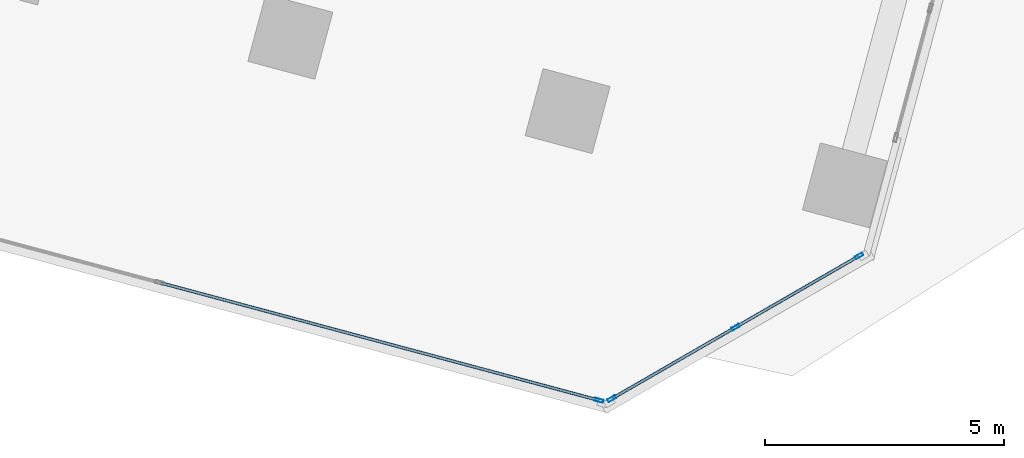
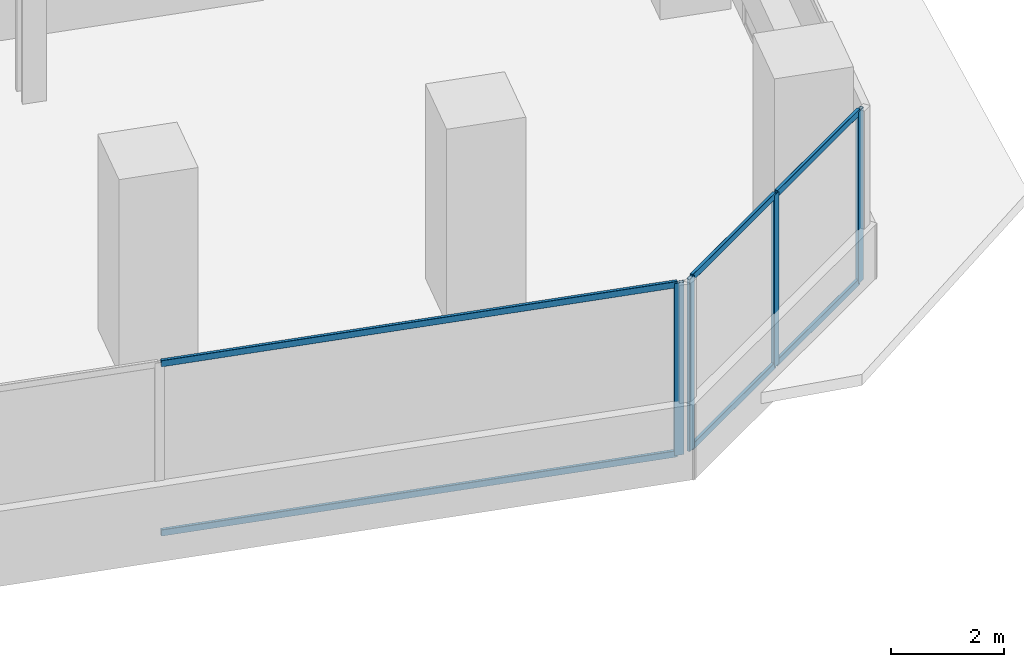
# One storey, part 8 of 26: 10 members, 2 elements without a shape of their own.
"""IFC4 building model written with IfcOpenShell, lengths in metres."""

import ifcopenshell
import ifcopenshell.guid

model = None  # the IFC model being written
_history = None  # IfcOwnerHistory: only IFC2X3 demands one
_inside = {}  # id of a spatial element -> (the spatial element, [elements in it])
_under = {}  # id of a project, library or spatial element -> (it, [spatial elements below it])
_declared = {}  # id of a project -> (the project, [libraries it declares])
_typed = {}  # id of a type object -> (the type object, [elements of that type])
_made_of = {}  # id of a material, layer set ... -> (it, [elements and type objects made of it])


def new_model(schema):
    """Start an empty IFC model of exactly this schema.

    Asked for "IFC4X3", IfcOpenShell would pick the latest addendum, in which some entities
    have other attributes; the version numbers below select the first issue.
    IFC2X3 requires an IfcOwnerHistory on every rooted entity: one is made here for all.
    """
    global model, _history
    if schema == "IFC4X3":
        model = ifcopenshell.file(schema_version=(4, 3, 0, 0))
    else:
        model = ifcopenshell.file(schema=schema)
    _inside.clear()
    _under.clear()
    _declared.clear()
    _typed.clear()
    _made_of.clear()
    _history = None
    if model.schema == "IFC2X3":
        org = make("IfcOrganization", Name="unknown")
        user = make(
            "IfcPersonAndOrganization",
            ThePerson=make("IfcPerson", FamilyName="unknown"),
            TheOrganization=org,
        )
        app = make(
            "IfcApplication",
            ApplicationDeveloper=org,
            Version="unknown",
            ApplicationFullName="unknown",
            ApplicationIdentifier="unknown",
        )
        _history = make(
            "IfcOwnerHistory",
            OwningUser=user,
            OwningApplication=app,
            ChangeAction="ADDED",
            CreationDate=0,
        )
    return model


def make(cls, **values):
    """One entity of the class cls with the attributes given. An attribute that is None is left unset."""
    return model.create_entity(
        cls, **{name: value for name, value in values.items() if value is not None}
    )


def rooted(cls, **values):
    """An entity with a GlobalId (a new one), such as an element, a storey or a relation."""
    return make(cls, GlobalId=ifcopenshell.guid.new(), OwnerHistory=_history, **values)


def si_unit(unit_type, name, prefix=None):
    """IfcSIUnit, for example si_unit("LENGTHUNIT", "METRE", prefix="MILLI")."""
    return make("IfcSIUnit", UnitType=unit_type, Prefix=prefix, Name=name)


def assignment(units):
    """IfcUnitAssignment: the units of a project."""
    return None if units is None else make("IfcUnitAssignment", Units=units)


def point(xyz):
    """IfcCartesianPoint."""
    return None if xyz is None else make("IfcCartesianPoint", Coordinates=xyz)


def direction(xyz):
    """IfcDirection."""
    return None if xyz is None else make("IfcDirection", DirectionRatios=xyz)


def frame(location, z_axis=None, x_axis=None):
    """IfcAxis2Placement3D, a coordinate frame: its origin and axes. An axis left out is left unset."""
    return make(
        "IfcAxis2Placement3D",
        Location=point(location),
        Axis=direction(z_axis),
        RefDirection=direction(x_axis),
    )


def frame_2d(location, x_axis=None):
    """IfcAxis2Placement2D, a coordinate frame in the plane: its origin and x axis."""
    return make(
        "IfcAxis2Placement2D", Location=point(location), RefDirection=direction(x_axis)
    )


def origin():
    """The frame at (0, 0, 0) with its axes left unset."""
    return frame((0.0, 0.0, 0.0))


def origin_2d():
    """The frame at (0, 0) in the plane with its x axis left unset."""
    return frame_2d((0.0, 0.0))


def place(relative_to, where):
    """IfcLocalPlacement: puts the frame where relative to a parent placement (None: the world)."""
    return make(
        "IfcLocalPlacement", PlacementRelTo=relative_to, RelativePlacement=where
    )


def context(
    kind, dimensions, precision=None, world=None, true_north=None, identifier=None
):
    """IfcGeometricRepresentationContext, for example the 3D "Model" context."""
    return make(
        "IfcGeometricRepresentationContext",
        ContextIdentifier=identifier,
        ContextType=kind,
        CoordinateSpaceDimension=dimensions,
        Precision=precision,
        WorldCoordinateSystem=world,
        TrueNorth=true_north,
    )


def subcontext(parent, identifier, kind, view, scale=None):
    """IfcGeometricRepresentationSubContext, for example "Body" below "Model"."""
    return make(
        "IfcGeometricRepresentationSubContext",
        ContextIdentifier=identifier,
        ContextType=kind,
        ParentContext=parent,
        TargetScale=scale,
        TargetView=view,
    )


def project(units=None, contexts=None):
    """IfcProject with its units and contexts."""
    return rooted(
        "IfcProject",
        Name="project",
        RepresentationContexts=contexts,
        UnitsInContext=assignment(units),
    )


def spatial(cls, under=None, at=None, **own):
    """A site, building, storey or space (cls), placed at a placement, below another one or the project."""
    s = rooted(cls, ObjectPlacement=at, **own)
    if under is not None:
        _under.setdefault(under.id(), (under, []))[1].append(s)
    return s


def profile(cls, at=None, kind="AREA", **sizes):
    """A parametric profile (cls). Its sizes go by their IFC names, for example OverallWidth=200.0."""
    return make(cls, ProfileType=kind, Position=at, **sizes)


def hollow_rectangle(**sizes):
    """IfcRectangleHollowProfileDef."""
    return profile("IfcRectangleHollowProfileDef", **sizes)


def extrude(swept, where, along, depth):
    """IfcExtrudedAreaSolid: the profile swept, set in the frame where, extruded along a direction by depth."""
    return make(
        "IfcExtrudedAreaSolid",
        SweptArea=swept,
        Position=where,
        ExtrudedDirection=direction(along),
        Depth=depth,
    )


def shape(context_of_items, identifier, shape_type, items):
    """IfcShapeRepresentation: the items that make up one representation, for example the "Body"."""
    return make(
        "IfcShapeRepresentation",
        ContextOfItems=context_of_items,
        RepresentationIdentifier=identifier,
        RepresentationType=shape_type,
        Items=items,
    )


def source(mapping_origin, context_of_items, identifier, shape_type, items):
    """IfcRepresentationMap: a shape defined once, which mapped items show again and again."""
    return make(
        "IfcRepresentationMap",
        MappingOrigin=mapping_origin,
        MappedRepresentation=shape(context_of_items, identifier, shape_type, items),
    )


def transform(
    local_origin,
    x_axis=None,
    y_axis=None,
    z_axis=None,
    scale=None,
    scale2=None,
    scale3=None,
    uniform=True,
):
    """IfcCartesianTransformationOperator3D, or its non-uniform kind. x_axis, y_axis, z_axis: its Axis1, 2, 3."""
    if uniform:
        return make(
            "IfcCartesianTransformationOperator3D",
            Axis1=direction(x_axis),
            Axis2=direction(y_axis),
            LocalOrigin=point(local_origin),
            Scale=scale,
            Axis3=direction(z_axis),
        )
    return make(
        "IfcCartesianTransformationOperator3DnonUniform",
        Axis1=direction(x_axis),
        Axis2=direction(y_axis),
        LocalOrigin=point(local_origin),
        Scale=scale,
        Axis3=direction(z_axis),
        Scale2=scale2,
        Scale3=scale3,
    )


def mapped(mapping_source, mapping_target):
    """IfcMappedItem: shows the shape of a source again, moved by a transform."""
    return make(
        "IfcMappedItem", MappingSource=mapping_source, MappingTarget=mapping_target
    )


def material(Name=None, Category=None):
    """IfcMaterial."""
    return make("IfcMaterial", Name=Name, Category=Category)


def material_profile(
    of_material, cross_section, Name=None, Category=None, Priority=None
):
    """IfcMaterialProfile: a cross section and its material."""
    return make(
        "IfcMaterialProfile",
        Name=Name,
        Material=of_material,
        Profile=cross_section,
        Priority=Priority,
        Category=Category,
    )


def profile_set(profiles, Name=None, composite=None):
    """IfcMaterialProfileSet."""
    return make(
        "IfcMaterialProfileSet",
        Name=Name,
        MaterialProfiles=profiles,
        CompositeProfile=composite,
    )


def made_of(thing, what):
    """Note that an element or type object is made of a material, layer set ...; save() writes the relation."""
    if what is not None:
        _made_of.setdefault(what.id(), (what, []))[1].append(thing)
    return thing


def type_object(cls, material=None, **own):
    """A type object (cls), such as IfcWallType, which elements share."""
    return made_of(rooted(cls, **own), material)


def element(
    cls,
    number,
    at=None,
    inside=None,
    cuts=None,
    type_object=None,
    material=None,
    context=None,
    identifier="Body",
    shape_type=None,
    held_by="IfcProductDefinitionShape",
    body=None,
    shapes=None,
    **own,
):
    """One element of the class cls, such as IfcWall. Its Tag is "e" and its number.

    at: its placement. inside: the storey or other place that contains it. cuts: it is an
    opening in that element (IfcRelVoidsElement). A single representation is given by context,
    identifier, shape_type and body (its items); several are given by shapes. held_by: the class
    of the entity that holds the representations. save() writes the other relations.
    """
    e = rooted(cls, Tag="e%d" % number, ObjectPlacement=at, **own)
    if body is not None:
        shapes = [shape(context, identifier, shape_type, body)]
    if shapes is not None:
        e.Representation = make(held_by, Representations=shapes)
    if inside is not None:
        _inside.setdefault(inside.id(), (inside, []))[1].append(e)
    if cuts is not None:
        rooted(
            "IfcRelVoidsElement", RelatingBuildingElement=cuts, RelatedOpeningElement=e
        )
    if type_object is not None:
        _typed.setdefault(type_object.id(), (type_object, []))[1].append(e)
    return made_of(e, material)


def aggregate(whole, parts):
    """IfcRelAggregates: a whole, such as a stair, and the parts it consists of."""
    return rooted("IfcRelAggregates", RelatingObject=whole, RelatedObjects=parts)


def save(model, path):
    """Write the relations noted so far, then the file.

    IfcRelAggregates (storeys below a building ...), IfcRelContainedInSpatialStructure (elements
    in a storey), IfcRelDefinesByType, IfcRelAssociatesMaterial and IfcRelDeclares: one each for
    every whole, place, type object, material and project.
    """
    for whole, parts in _under.values():
        aggregate(whole, parts)
    for where, things in _inside.values():
        rooted(
            "IfcRelContainedInSpatialStructure",
            RelatedElements=things,
            RelatingStructure=where,
        )
    for kind, things in _typed.values():
        rooted("IfcRelDefinesByType", RelatedObjects=things, RelatingType=kind)
    for what, things in _made_of.values():
        rooted("IfcRelAssociatesMaterial", RelatedObjects=things, RelatingMaterial=what)
    for by, libraries in _declared.values():
        rooted("IfcRelDeclares", RelatingContext=by, RelatedDefinitions=libraries)
    model.write(path)


model = new_model("IFC4")

# Units and contexts
model_context = context("Model", 3, precision=1e-05, world=origin(), true_north=direction((0.0, 1.0)))
body_context = subcontext(model_context, "Body", "Model", "MODEL_VIEW")
ifc_project = project(units=[si_unit("LENGTHUNIT", "METRE"), si_unit("AREAUNIT", "SQUARE_METRE"), si_unit("VOLUMEUNIT", "CUBIC_METRE"), si_unit("PLANEANGLEUNIT", "RADIAN"), si_unit("MASSUNIT", "GRAM", prefix="KILO")], contexts=[model_context])

# Site, building, storey
site_placement = place(None, origin())
site = spatial("IfcSite", under=ifc_project, at=site_placement, CompositionType="ELEMENT")
building_placement = place(site_placement, origin())
building = spatial("IfcBuilding", under=site, at=building_placement, Name="Torre Montelarca", CompositionType="ELEMENT")
storey_placement = place(building_placement, frame((0.0, 0.0, 100.0)))
storey = spatial("IfcBuildingStorey", under=building, at=storey_placement, Name="L22", CompositionType="ELEMENT", Elevation=100.0)

# Curtain wall, members
ifc_material_1 = material(Name="Insulated low-E laminated glass", Category="glass")
curtain_wall_type = type_object("IfcCurtainWallType", Name="CW-SYS-Z1", PredefinedType="USERDEFINED", material=ifc_material_1)
curtain_wall_1_placement = place(storey_placement, origin())
curtain_wall_1 = element("IfcCurtainWall", 1, at=curtain_wall_1_placement, inside=storey, type_object=curtain_wall_type, Name="L22 Curtain Wall Run CW-T3-L22-E05-B1", ObjectType="UNITISED GLAZING", PredefinedType="USERDEFINED")
ifc_material_2 = material(Name="Anodised aluminium AA 6063-T6", Category="aluminium")
ifc_material_profile_1 = material_profile(ifc_material_2, hollow_rectangle(XDim=0.06494140625, YDim=0.139892578125, WallThickness=0.00390625, InnerFilletRadius=0.00390625, OuterFilletRadius=0.008056640625, at=origin_2d()), Name="ALU65X140X4", Category="aluminium")
ifc_profile_set_1 = profile_set([ifc_material_profile_1], Name="Anodised aluminium AA 6063-T6")
member_type_1 = type_object("IfcMemberType", Name="CWT-ALU140", PredefinedType="USERDEFINED", material=ifc_profile_set_1)
shared_shape_1 = source(origin(), body_context, "Body", "SweptSolid", [
    extrude(hollow_rectangle(XDim=0.06494140625, YDim=0.139892578125, WallThickness=0.00390625, InnerFilletRadius=0.00390625, OuterFilletRadius=0.008056640625, at=origin_2d()), origin(), (0.0, 0.0, 1.0), 2.918701171875),
])
member_1_placement = place(storey_placement, frame((51.77392578125, 9.865478515625, 0.032470703125), z_axis=(0.866057444692, 0.499944499413, 0.0), x_axis=(-0.499944499413, 0.866057444692, 0.0)))
member_1 = element("IfcMember", 2, at=member_1_placement, type_object=member_type_1, Name="CW transom 1.1", ObjectType="TRANSOM", PredefinedType="USERDEFINED", context=body_context, shape_type="MappedRepresentation", body=[
    mapped(shared_shape_1, transform((0.0, 0.0, 0.0), scale=1.0)),
])
member_2_placement = place(storey_placement, frame((51.77392578125, 9.865478515625, 3.6875), z_axis=(0.866057444692, 0.499944499413, 0.0), x_axis=(-0.499944499413, 0.866057444692, 0.0)))
member_2 = element("IfcMember", 3, at=member_2_placement, type_object=member_type_1, Name="CW transom 1.2", ObjectType="TRANSOM", PredefinedType="USERDEFINED", context=body_context, shape_type="MappedRepresentation", body=[
    mapped(shared_shape_1, transform((0.0, 0.0, 0.0), scale=1.0)),
])
member_3_placement = place(storey_placement, frame((54.35791015625, 11.357177734375, 0.032470703125), z_axis=(0.866000314205, 0.500043453909, 0.0), x_axis=(-0.500043453909, 0.866000314205, 0.0)))
member_3 = element("IfcMember", 4, at=member_3_placement, type_object=member_type_1, Name="CW transom 2.1", ObjectType="TRANSOM", PredefinedType="USERDEFINED", context=body_context, shape_type="MappedRepresentation", body=[
    mapped(shared_shape_1, transform((0.0, 0.0, 0.0), scale=1.0)),
])
member_4_placement = place(storey_placement, frame((54.35791015625, 11.357177734375, 3.6875), z_axis=(0.866000314205, 0.500043453909, 0.0), x_axis=(-0.500043453909, 0.866000314205, 0.0)))
member_4 = element("IfcMember", 5, at=member_4_placement, type_object=member_type_1, Name="CW transom 2.2", ObjectType="TRANSOM", PredefinedType="USERDEFINED", context=body_context, shape_type="MappedRepresentation", body=[
    mapped(shared_shape_1, transform((0.0, 0.0, 0.0), scale=1.0)),
])

# Curtain wall, member
curtain_wall_2_placement = place(storey_placement, origin())
curtain_wall_2 = element("IfcCurtainWall", 6, at=curtain_wall_2_placement, inside=storey, type_object=curtain_wall_type, Name="L22 Curtain Wall Run CW-T3-L22-E04-B1", ObjectType="UNITISED GLAZING", PredefinedType="USERDEFINED")
ifc_material_profile_2 = material_profile(ifc_material_2, hollow_rectangle(XDim=0.06494140625, YDim=0.179931640625, WallThickness=0.00390625, InnerFilletRadius=0.00390625, OuterFilletRadius=0.008056640625, at=origin_2d()), Name="ALU65X180X4", Category="aluminium")
ifc_profile_set_2 = profile_set([ifc_material_profile_2], Name="Anodised aluminium AA 6063-T6")
member_type_2 = type_object("IfcMemberType", Name="CWM-ALU180", PredefinedType="MULLION", material=ifc_profile_set_2)
shared_shape_2 = source(origin(), body_context, "Body", "SweptSolid", [
    extrude(hollow_rectangle(XDim=0.06494140625, YDim=0.179931640625, WallThickness=0.00390625, InnerFilletRadius=0.00390625, OuterFilletRadius=0.008056640625, at=origin_2d()), origin(), (0.0, 0.0, 1.0), 3.719970703125),
])
member_5_placement = place(storey_placement, frame((51.481201171875, 9.814208984375, 0.0), z_axis=(0.0, 0.0, 1.0), x_axis=(0.258823354003, 0.965924671712, 0.0)))
member_5 = element("IfcMember", 7, at=member_5_placement, type_object=member_type_2, Name="CW mullion 3", PredefinedType="MULLION", context=body_context, shape_type="MappedRepresentation", body=[
    mapped(shared_shape_2, transform((0.0, 0.0, 0.0), scale=1.0)),
])

# Member
member_6_placement = place(storey_placement, frame((51.745849609375, 9.84912109375, 0.0), z_axis=(0.0, 0.0, 1.0), x_axis=(-0.50000083595, 0.866024921148, 0.0)))
member_6 = element("IfcMember", 8, at=member_6_placement, type_object=member_type_2, Name="CW mullion 1", PredefinedType="MULLION", context=body_context, shape_type="MappedRepresentation", body=[
    mapped(shared_shape_2, transform((0.0, 0.0, 0.0), scale=1.0)),
])

member_7_placement = place(storey_placement, frame((54.329833984375, 11.341064453125, 0.0), z_axis=(0.0, 0.0, 1.0), x_axis=(-0.50000083595, 0.866024921148, 0.0)))
member_7 = element("IfcMember", 9, at=member_7_placement, type_object=member_type_2, Name="CW mullion 2", PredefinedType="MULLION", context=body_context, shape_type="MappedRepresentation", body=[
    mapped(shared_shape_2, transform((0.0, 0.0, 0.0), scale=1.0)),
])

member_8_placement = place(storey_placement, frame((56.913818359375, 12.832763671875, 0.0), z_axis=(0.0, 0.0, 1.0), x_axis=(-0.50000083595, 0.866024921148, 0.0)))
member_8 = element("IfcMember", 10, at=member_8_placement, type_object=member_type_2, Name="CW mullion 3", PredefinedType="MULLION", context=body_context, shape_type="MappedRepresentation", body=[
    mapped(shared_shape_2, transform((0.0, 0.0, 0.0), scale=1.0)),
])

aggregate(curtain_wall_1, [member_6, member_7, member_8, member_1, member_2, member_3, member_4])

shared_shape_3 = source(origin(), body_context, "Body", "SweptSolid", [
    extrude(hollow_rectangle(XDim=0.06494140625, YDim=0.139892578125, WallThickness=0.00390625, InnerFilletRadius=0.00390625, OuterFilletRadius=0.008056640625, at=origin_2d()), origin(), (0.0, 0.0, 1.0), 9.44873046875),
])
member_9_placement = place(storey_placement, frame((42.322998046875, 12.268310546875, 0.032470703125), z_axis=(0.965924176867, -0.258825200751, 0.0), x_axis=(0.258825200751, 0.965924176867, 0.0)))
member_9 = element("IfcMember", 11, at=member_9_placement, type_object=member_type_1, Name="CW transom 2.1", ObjectType="TRANSOM", PredefinedType="USERDEFINED", context=body_context, shape_type="MappedRepresentation", body=[
    mapped(shared_shape_3, transform((0.0, 0.0, 0.0), scale=1.0)),
])

member_10_placement = place(storey_placement, frame((42.322998046875, 12.268310546875, 3.6875), z_axis=(0.965924176867, -0.258825200751, 0.0), x_axis=(0.258825200751, 0.965924176867, 0.0)))
member_10 = element("IfcMember", 12, at=member_10_placement, type_object=member_type_1, Name="CW transom 2.2", ObjectType="TRANSOM", PredefinedType="USERDEFINED", context=body_context, shape_type="MappedRepresentation", body=[
    mapped(shared_shape_3, transform((0.0, 0.0, 0.0), scale=1.0)),
])

aggregate(curtain_wall_2, [member_5, member_9, member_10])

save(model, "model.ifc")
